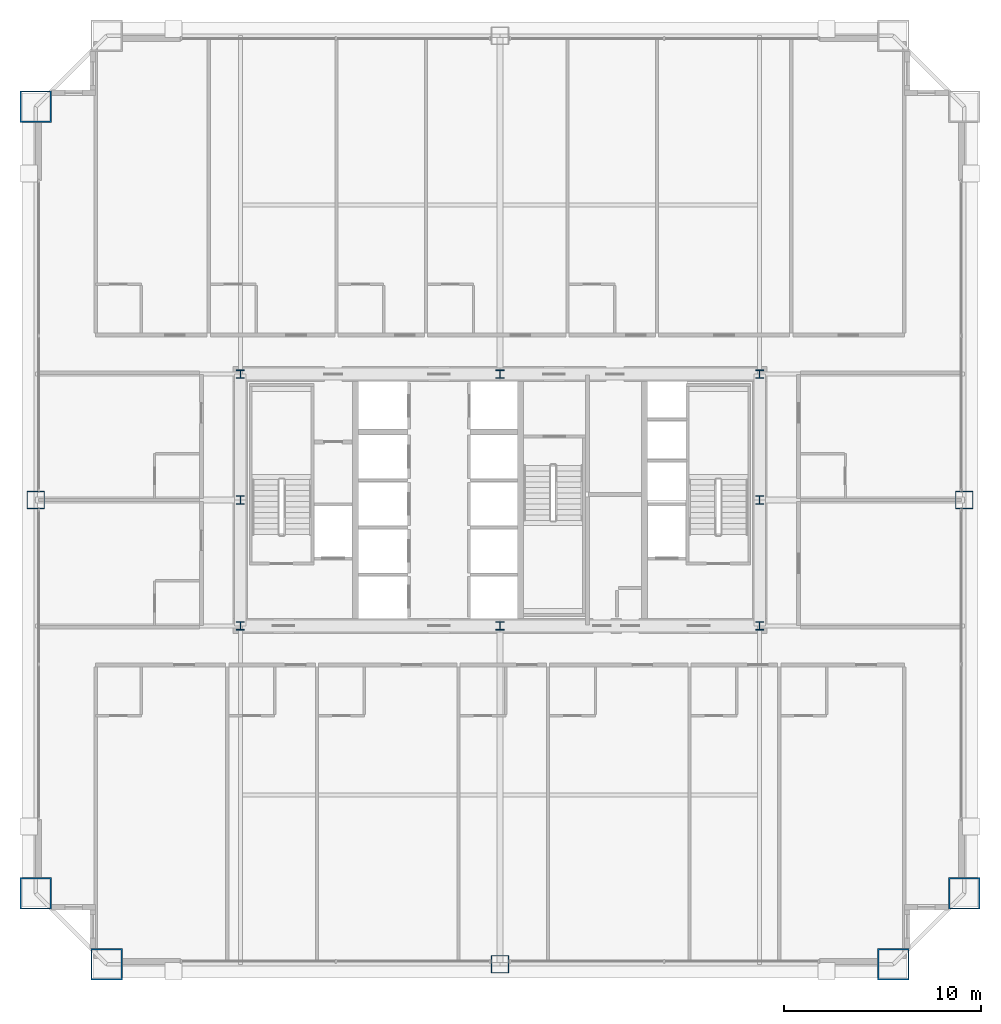
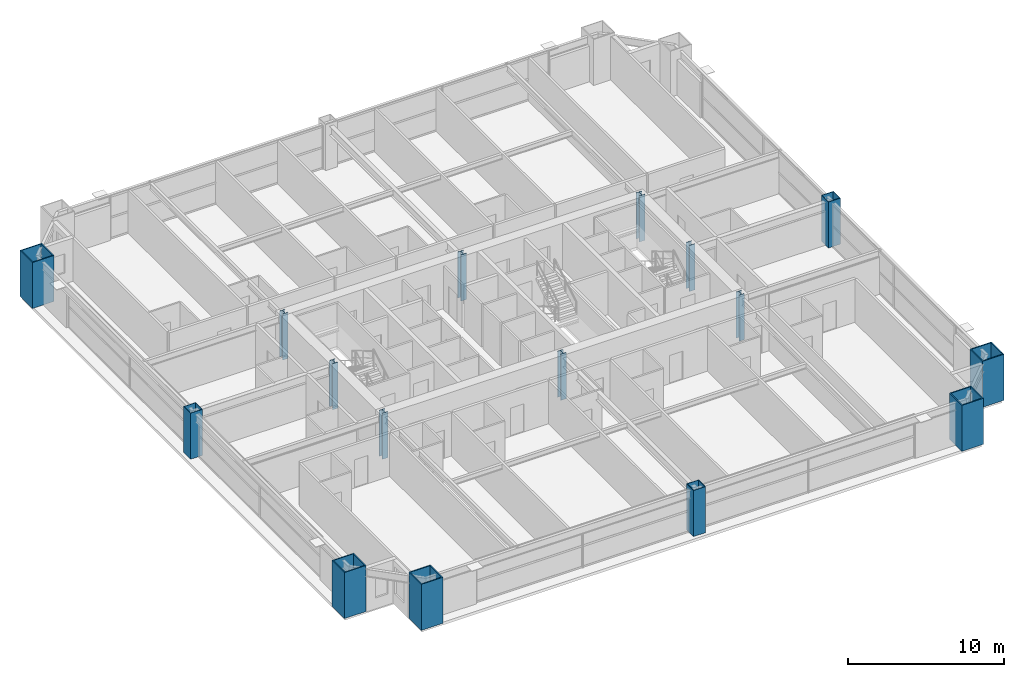
# One storey, part 1 of 38: 16 columns.
"""IFC4 building model written with IfcOpenShell, lengths in metres."""

from ifc_helpers import new_model, si_unit, direction, frame, origin, origin_2d, place, context, subcontext, project, spatial, hollow_rectangle, i_section, extrude, source, transform, mapped, material, material_profile, profile_set, type_object, element, save


model = new_model("IFC4")

# Units and contexts
model_context = context("Model", 3, precision=1e-05, world=origin(), true_north=direction((0.0, 1.0)))
body_context = subcontext(model_context, "Body", "Model", "MODEL_VIEW")
ifc_project = project(units=[si_unit("LENGTHUNIT", "METRE"), si_unit("AREAUNIT", "SQUARE_METRE"), si_unit("VOLUMEUNIT", "CUBIC_METRE"), si_unit("PLANEANGLEUNIT", "RADIAN"), si_unit("MASSUNIT", "GRAM", prefix="KILO"), si_unit("THERMODYNAMICTEMPERATUREUNIT", "KELVIN"), si_unit("POWERUNIT", "WATT")], contexts=[model_context])

# Site, building, storey
site_placement = place(None, origin())
site = spatial("IfcSite", under=ifc_project, at=site_placement, CompositionType="ELEMENT")
building_placement = place(site_placement, origin())
building = spatial("IfcBuilding", under=site, at=building_placement, Name="Yuzanri Waterfront Tower", CompositionType="ELEMENT")
storey_placement = place(building_placement, frame((0.0, 0.0, 97.39990234375)))
storey = spatial("IfcBuildingStorey", under=building, at=storey_placement, Name="L25", CompositionType="ELEMENT", Elevation=97.39990234375)

# Columns
ifc_material_1 = material(Name="Steel Q355B", Category="steel")
ifc_material_profile_1 = material_profile(ifc_material_1, i_section(OverallWidth=0.406982421875, OverallDepth=0.427978515625, WebThickness=0.02001953125, FlangeThickness=0.034912109375, at=origin_2d()), Name="HW 428x407x20x35")
ifc_profile_set_1 = profile_set([ifc_material_profile_1], Name="Steel Q355B")
column_type_1 = type_object("IfcColumnType", Name="Core Post Q355B HW 428x407x20x35", PredefinedType="COLUMN", material=ifc_profile_set_1)
shared_shape_1 = source(origin(), body_context, "Body", "SweptSolid", [
    extrude(i_section(OverallWidth=0.406982421875, OverallDepth=0.427978515625, WebThickness=0.02001953125, FlangeThickness=0.034912109375, at=origin_2d()), origin(), (0.0, 0.0, 1.0), 3.60009765625),
])
for number, where, z_axis, x_axis, name in (
    (1, (23.800048828125, 19.39990234375, 0.0), (0.0, 0.0, 1.0), (1.0, 0.0, 0.0), "L25 Core Boundary Column CP1"),
    (2, (37.0, 19.39990234375, 0.0), (0.0, 0.0, 1.0), (1.0, 0.0, 0.0), "L25 Core Boundary Column CP2"),
    (3, (50.199951171875, 19.39990234375, 0.0), (0.0, 0.0, 1.0), (1.0, 0.0, 0.0), "L25 Core Boundary Column CP3"),
    (4, (23.800048828125, 25.800048828125, 0.0), (0.0, 0.0, 1.0), (1.0, 0.0, 0.0), "L25 Core Boundary Column CP4"),
    (5, (50.199951171875, 25.800048828125, 0.0), (0.0, 0.0, 1.0), (1.0, 0.0, 0.0), "L25 Core Boundary Column CP5"),
    (6, (23.800048828125, 32.199951171875, 0.0), (0.0, 0.0, 1.0), (1.0, 0.0, 0.0), "L25 Core Boundary Column CP6"),
    (7, (37.0, 32.199951171875, 0.0), (0.0, 0.0, 1.0), (1.0, 0.0, 0.0), "L25 Core Boundary Column CP7"),
    (8, (50.199951171875, 32.199951171875, 0.0), (0.0, 0.0, 1.0), (1.0, 0.0, 0.0), "L25 Core Boundary Column CP8"),
):
    element("IfcColumn", number, at=place(storey_placement, frame(where, z_axis=z_axis, x_axis=x_axis)), inside=storey, type_object=column_type_1, Name=name, PredefinedType="COLUMN", context=body_context, shape_type="MappedRepresentation", body=[
        mapped(shared_shape_1, transform((0.0, 0.0, 0.0), scale=1.0)),
    ])
ifc_material_2 = material(Name="Steel Q390GJC", Category="steel")
ifc_material_profile_2 = material_profile(ifc_material_2, hollow_rectangle(XDim=0.89990234375, YDim=0.89990234375, WallThickness=0.0419921875, at=origin_2d()), Name="RHS 900x900x42")
ifc_profile_set_2 = profile_set([ifc_material_profile_2], Name="Steel Q390GJC")
column_type_2 = type_object("IfcColumnType", Name="Frame Column Q390GJC RHS 900x900x42", PredefinedType="COLUMN", material=ifc_profile_set_2)
shared_shape_2 = source(origin(), body_context, "Body", "SweptSolid", [
    extrude(hollow_rectangle(XDim=0.89990234375, YDim=0.89990234375, WallThickness=0.0419921875, at=origin_2d()), origin(), (0.0, 0.0, 1.0), 3.60009765625),
])
for number, where, z_axis, x_axis, name in (
    (9, (37.0, 2.199951171875, 0.0), (0.0, 0.0, 1.0), (1.0, 0.0, 0.0), "L25 Perimeter Frame Column S2"),
    (10, (13.39990234375, 25.800048828125, 0.0), (0.0, 0.0, 1.0), (1.0, 0.0, 0.0), "L25 Perimeter Frame Column W2"),
    (11, (60.60009765625, 25.800048828125, 0.0), (0.0, 0.0, 1.0), (1.0, 0.0, 0.0), "L25 Perimeter Frame Column E2"),
):
    element("IfcColumn", number, at=place(storey_placement, frame(where, z_axis=z_axis, x_axis=x_axis)), inside=storey, type_object=column_type_2, Name=name, PredefinedType="COLUMN", context=body_context, shape_type="MappedRepresentation", body=[
        mapped(shared_shape_2, transform((0.0, 0.0, 0.0), scale=1.0)),
    ])
ifc_material_3 = material(Name="Steel Q420GJC", Category="steel")
ifc_material_profile_3 = material_profile(ifc_material_3, hollow_rectangle(XDim=1.60009765625, YDim=1.60009765625, WallThickness=0.070068359375, at=origin_2d()), Name="RHS 1600x1600x70")
ifc_profile_set_3 = profile_set([ifc_material_profile_3], Name="Steel Q420GJC")
column_type_3 = type_object("IfcColumnType", Name="Mega Column Q420GJC RHS 1600x1600x70", PredefinedType="COLUMN", material=ifc_profile_set_3)
shared_shape_3 = source(origin(), body_context, "Body", "SweptSolid", [
    extrude(hollow_rectangle(XDim=1.60009765625, YDim=1.60009765625, WallThickness=0.070068359375, at=origin_2d()), origin(), (0.0, 0.0, 1.0), 3.60009765625),
])
for number, where, z_axis, x_axis, name in (
    (12, (17.0, 2.199951171875, 0.0), (0.0, 0.0, 1.0), (1.0, 0.0, 0.0), "L25 Perimeter Mega Column S1"),
    (13, (57.0, 2.199951171875, 0.0), (0.0, 0.0, 1.0), (1.0, 0.0, 0.0), "L25 Perimeter Mega Column S3"),
    (14, (13.39990234375, 5.800048828125, 0.0), (0.0, 0.0, 1.0), (1.0, 0.0, 0.0), "L25 Perimeter Mega Column W1"),
    (15, (13.39990234375, 45.800048828125, 0.0), (0.0, 0.0, 1.0), (1.0, 0.0, 0.0), "L25 Perimeter Mega Column W3"),
    (16, (60.60009765625, 5.800048828125, 0.0), (0.0, 0.0, 1.0), (1.0, 0.0, 0.0), "L25 Perimeter Mega Column E1"),
):
    element("IfcColumn", number, at=place(storey_placement, frame(where, z_axis=z_axis, x_axis=x_axis)), inside=storey, type_object=column_type_3, Name=name, PredefinedType="COLUMN", context=body_context, shape_type="MappedRepresentation", body=[
        mapped(shared_shape_3, transform((0.0, 0.0, 0.0), scale=1.0)),
    ])

save(model, "model.ifc")
